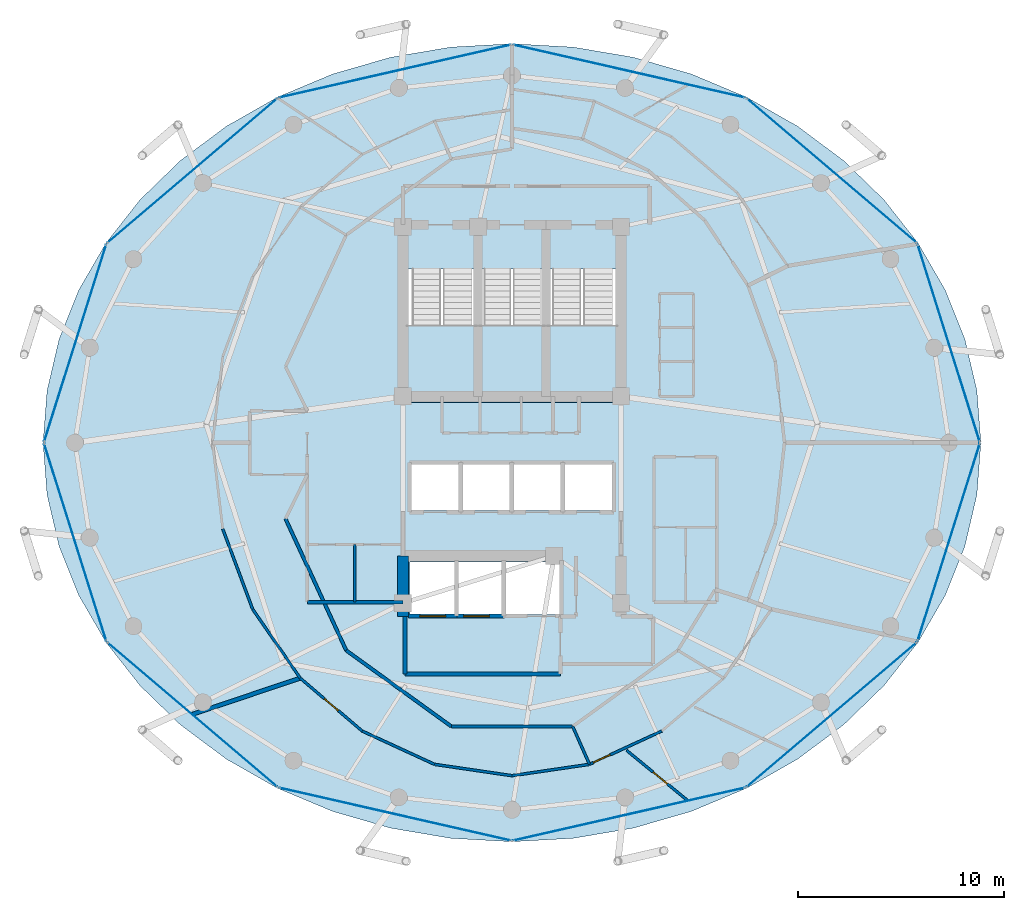
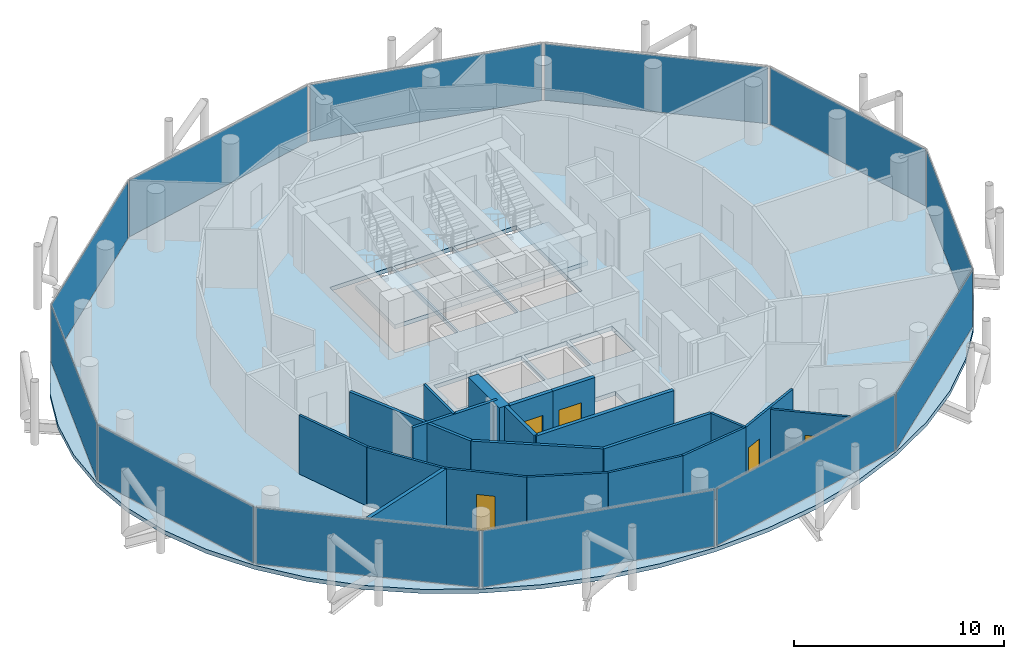
# One storey, part 22 of 27: 20 walls, 12 plates, 5 doors, 4 slabs, 5 openings, 15 elements without a shape of their own.
"""IFC4 building model written with IfcOpenShell, lengths in metres."""

from ifc_helpers import new_model, si_unit, direction, frame, frame_2d, origin, origin_2d, place, context, subcontext, project, spatial, polyline, rectangle, outline, extrude, material, layer, layer_set, type_object, element, fill, aggregate, save


model = new_model("IFC4")

# Units and contexts
model_context = context("Model", 3, precision=1e-05, world=origin(), true_north=direction((0.0, 1.0)))
body_context = subcontext(model_context, "Body", "Model", "MODEL_VIEW")
ifc_project = project(units=[si_unit("LENGTHUNIT", "METRE"), si_unit("AREAUNIT", "SQUARE_METRE"), si_unit("VOLUMEUNIT", "CUBIC_METRE"), si_unit("PLANEANGLEUNIT", "RADIAN"), si_unit("MASSUNIT", "GRAM", prefix="KILO")], contexts=[model_context])

# Site, building, storey
site_placement = place(None, origin())
site = spatial("IfcSite", under=ifc_project, at=site_placement, CompositionType="ELEMENT")
building_placement = place(site_placement, origin())
building = spatial("IfcBuilding", under=site, at=building_placement, Name="Nuhasar Tower", CompositionType="ELEMENT")
storey_placement = place(building_placement, frame((0.0, 0.0, 230.050048828125)))
storey = spatial("IfcBuildingStorey", under=building, at=storey_placement, Name="L56", CompositionType="ELEMENT", Elevation=230.050048828125)

# Curtain wall, plate
ifc_material_1 = material(Name="Aluminium 6063-T6", Category="aluminium")
ifc_layer_1 = layer(ifc_material_1, 0.18994140625)
ifc_layer_set_1 = layer_set([ifc_layer_1], Name="Aluminium 6063-T6")
curtain_wall_type = type_object("IfcCurtainWallType", Name="CW-Z3-RES", PredefinedType="NOTDEFINED", material=ifc_layer_set_1)
curtain_wall_1_placement = place(storey_placement, origin())
curtain_wall_1 = element("IfcCurtainWall", 1, at=curtain_wall_1_placement, inside=storey, type_object=curtain_wall_type, Name="L56 Unitised Curtain Wall 01", PredefinedType="NOTDEFINED")
ifc_material_2 = material(Name="Glass Double Low-E", Category="glass")
ifc_layer_2 = layer(ifc_material_2, 0.028076171875)
ifc_layer_set_2 = layer_set([ifc_layer_2], Name="Glass Double Low-E")
plate_type = type_object("IfcPlateType", Name="CW-PANEL-GLZ", PredefinedType="CURTAIN_PANEL", material=ifc_layer_set_2)
plate_1_placement = place(storey_placement, frame((60.235595703125, 31.639892578125, 0.06494140625), z_axis=(0.0, 0.0, 1.0), x_axis=(-0.30042864553, 0.95380429279, 0.0)))
plate_1 = element("IfcPlate", 2, at=plate_1_placement, type_object=plate_type, Name="CW-Z3 panel 1.1", PredefinedType="CURTAIN_PANEL", context=body_context, shape_type="SweptSolid", body=[
    extrude(rectangle(XDim=10.018798828125, YDim=0.028076171875, at=origin_2d()), origin(), (0.0, 0.0, 1.0), 3.280029296875),
])
aggregate(curtain_wall_1, [plate_1])

curtain_wall_2_placement = place(storey_placement, origin())
curtain_wall_2 = element("IfcCurtainWall", 3, at=curtain_wall_2_placement, inside=storey, type_object=curtain_wall_type, Name="L56 Unitised Curtain Wall 02", PredefinedType="NOTDEFINED")
plate_2_placement = place(storey_placement, frame((54.54541015625, 40.02294921875, 0.06494140625), z_axis=(0.0, 0.0, 1.0), x_axis=(-0.761729472562, 0.64789521578, 0.0)))
plate_2 = element("IfcPlate", 4, at=plate_2_placement, type_object=plate_type, Name="CW-Z3 panel 1.1", PredefinedType="CURTAIN_PANEL", context=body_context, shape_type="SweptSolid", body=[
    extrude(rectangle(XDim=10.806884765625, YDim=0.028076171875, at=origin_2d()), origin(), (0.0, 0.0, 1.0), 3.280029296875),
])
aggregate(curtain_wall_2, [plate_2])

curtain_wall_3_placement = place(storey_placement, origin())
curtain_wall_3 = element("IfcCurtainWall", 5, at=curtain_wall_3_placement, inside=storey, type_object=curtain_wall_type, Name="L56 Unitised Curtain Wall 03", PredefinedType="NOTDEFINED")
plate_3_placement = place(storey_placement, frame((44.68994140625, 44.863037109375, 0.06494140625), z_axis=(0.0, 0.0, 1.0), x_axis=(-0.974991266926, 0.222243176313, 0.0)))
plate_3 = element("IfcPlate", 6, at=plate_3_placement, type_object=plate_type, Name="CW-Z3 panel 1.1", PredefinedType="CURTAIN_PANEL", context=body_context, shape_type="SweptSolid", body=[
    extrude(rectangle(XDim=11.5419921875, YDim=0.028076171875, at=origin_2d()), origin(), (0.0, 0.0, 1.0), 3.280029296875),
])
aggregate(curtain_wall_3, [plate_3])

curtain_wall_4_placement = place(storey_placement, origin())
curtain_wall_4 = element("IfcCurtainWall", 7, at=curtain_wall_4_placement, inside=storey, type_object=curtain_wall_type, Name="L56 Unitised Curtain Wall 04", PredefinedType="NOTDEFINED")
plate_4_placement = place(storey_placement, frame((33.31005859375, 44.863037109375, 0.06494140625), z_axis=(0.0, 0.0, 1.0), x_axis=(-0.974991266926, -0.222243176313, 0.0)))
plate_4 = element("IfcPlate", 8, at=plate_4_placement, type_object=plate_type, Name="CW-Z3 panel 1.1", PredefinedType="CURTAIN_PANEL", context=body_context, shape_type="SweptSolid", body=[
    extrude(rectangle(XDim=11.5419921875, YDim=0.028076171875, at=origin_2d()), origin(), (0.0, 0.0, 1.0), 3.280029296875),
])
aggregate(curtain_wall_4, [plate_4])

curtain_wall_5_placement = place(storey_placement, origin())
curtain_wall_5 = element("IfcCurtainWall", 9, at=curtain_wall_5_placement, inside=storey, type_object=curtain_wall_type, Name="L56 Unitised Curtain Wall 05", PredefinedType="NOTDEFINED")
plate_5_placement = place(storey_placement, frame((23.45458984375, 40.02294921875, 0.06494140625), z_axis=(0.0, 0.0, 1.0), x_axis=(-0.761729472562, -0.64789521578, 0.0)))
plate_5 = element("IfcPlate", 10, at=plate_5_placement, type_object=plate_type, Name="CW-Z3 panel 1.1", PredefinedType="CURTAIN_PANEL", context=body_context, shape_type="SweptSolid", body=[
    extrude(rectangle(XDim=10.806884765625, YDim=0.028076171875, at=origin_2d()), origin(), (0.0, 0.0, 1.0), 3.280029296875),
])
aggregate(curtain_wall_5, [plate_5])

curtain_wall_6_placement = place(storey_placement, origin())
curtain_wall_6 = element("IfcCurtainWall", 11, at=curtain_wall_6_placement, inside=storey, type_object=curtain_wall_type, Name="L56 Unitised Curtain Wall 06", PredefinedType="NOTDEFINED")
plate_6_placement = place(storey_placement, frame((17.764404296875, 31.639892578125, 0.06494140625), z_axis=(0.0, 0.0, 1.0), x_axis=(-0.30042864553, -0.95380429279, 0.0)))
plate_6 = element("IfcPlate", 12, at=plate_6_placement, type_object=plate_type, Name="CW-Z3 panel 1.1", PredefinedType="CURTAIN_PANEL", context=body_context, shape_type="SweptSolid", body=[
    extrude(rectangle(XDim=10.018798828125, YDim=0.028076171875, at=origin_2d()), origin(), (0.0, 0.0, 1.0), 3.280029296875),
])
aggregate(curtain_wall_6, [plate_6])

curtain_wall_7_placement = place(storey_placement, origin())
curtain_wall_7 = element("IfcCurtainWall", 13, at=curtain_wall_7_placement, inside=storey, type_object=curtain_wall_type, Name="L56 Unitised Curtain Wall 07", PredefinedType="NOTDEFINED")
plate_7_placement = place(storey_placement, frame((17.764404296875, 21.9599609375, 0.06494140625), z_axis=(0.0, 0.0, 1.0), x_axis=(0.30042864553, -0.95380429279, 0.0)))
plate_7 = element("IfcPlate", 14, at=plate_7_placement, type_object=plate_type, Name="CW-Z3 panel 1.1", PredefinedType="CURTAIN_PANEL", context=body_context, shape_type="SweptSolid", body=[
    extrude(rectangle(XDim=10.018798828125, YDim=0.028076171875, at=origin_2d()), origin(), (0.0, 0.0, 1.0), 3.280029296875),
])
aggregate(curtain_wall_7, [plate_7])

curtain_wall_8_placement = place(storey_placement, origin())
curtain_wall_8 = element("IfcCurtainWall", 15, at=curtain_wall_8_placement, inside=storey, type_object=curtain_wall_type, Name="L56 Unitised Curtain Wall 08", PredefinedType="NOTDEFINED")
plate_8_placement = place(storey_placement, frame((23.45458984375, 13.576904296875, 0.06494140625), z_axis=(0.0, 0.0, 1.0), x_axis=(0.761729472562, -0.64789521578, 0.0)))
plate_8 = element("IfcPlate", 16, at=plate_8_placement, type_object=plate_type, Name="CW-Z3 panel 1.1", PredefinedType="CURTAIN_PANEL", context=body_context, shape_type="SweptSolid", body=[
    extrude(rectangle(XDim=10.806884765625, YDim=0.028076171875, at=origin_2d()), origin(), (0.0, 0.0, 1.0), 3.280029296875),
])
aggregate(curtain_wall_8, [plate_8])

curtain_wall_9_placement = place(storey_placement, origin())
curtain_wall_9 = element("IfcCurtainWall", 17, at=curtain_wall_9_placement, inside=storey, type_object=curtain_wall_type, Name="L56 Unitised Curtain Wall 09", PredefinedType="NOTDEFINED")
plate_9_placement = place(storey_placement, frame((33.31005859375, 8.737060546875, 0.06494140625), z_axis=(0.0, 0.0, 1.0), x_axis=(0.974991266926, -0.222243176313, 0.0)))
plate_9 = element("IfcPlate", 18, at=plate_9_placement, type_object=plate_type, Name="CW-Z3 panel 1.1", PredefinedType="CURTAIN_PANEL", context=body_context, shape_type="SweptSolid", body=[
    extrude(rectangle(XDim=11.5419921875, YDim=0.028076171875, at=origin_2d()), origin(), (0.0, 0.0, 1.0), 3.280029296875),
])
aggregate(curtain_wall_9, [plate_9])

curtain_wall_10_placement = place(storey_placement, origin())
curtain_wall_10 = element("IfcCurtainWall", 19, at=curtain_wall_10_placement, inside=storey, type_object=curtain_wall_type, Name="L56 Unitised Curtain Wall 10", PredefinedType="NOTDEFINED")
plate_10_placement = place(storey_placement, frame((44.68994140625, 8.737060546875, 0.06494140625), z_axis=(0.0, 0.0, 1.0), x_axis=(0.974991266926, 0.222243176313, 0.0)))
plate_10 = element("IfcPlate", 20, at=plate_10_placement, type_object=plate_type, Name="CW-Z3 panel 1.1", PredefinedType="CURTAIN_PANEL", context=body_context, shape_type="SweptSolid", body=[
    extrude(rectangle(XDim=11.5419921875, YDim=0.028076171875, at=origin_2d()), origin(), (0.0, 0.0, 1.0), 3.280029296875),
])
aggregate(curtain_wall_10, [plate_10])

curtain_wall_11_placement = place(storey_placement, origin())
curtain_wall_11 = element("IfcCurtainWall", 21, at=curtain_wall_11_placement, inside=storey, type_object=curtain_wall_type, Name="L56 Unitised Curtain Wall 11", PredefinedType="NOTDEFINED")
plate_11_placement = place(storey_placement, frame((54.54541015625, 13.576904296875, 0.06494140625), z_axis=(0.0, 0.0, 1.0), x_axis=(0.761729472562, 0.64789521578, 0.0)))
plate_11 = element("IfcPlate", 22, at=plate_11_placement, type_object=plate_type, Name="CW-Z3 panel 1.1", PredefinedType="CURTAIN_PANEL", context=body_context, shape_type="SweptSolid", body=[
    extrude(rectangle(XDim=10.806884765625, YDim=0.028076171875, at=origin_2d()), origin(), (0.0, 0.0, 1.0), 3.280029296875),
])
aggregate(curtain_wall_11, [plate_11])

curtain_wall_12_placement = place(storey_placement, origin())
curtain_wall_12 = element("IfcCurtainWall", 23, at=curtain_wall_12_placement, inside=storey, type_object=curtain_wall_type, Name="L56 Unitised Curtain Wall 12", PredefinedType="NOTDEFINED")
plate_12_placement = place(storey_placement, frame((60.235595703125, 21.9599609375, 0.06494140625), z_axis=(0.0, 0.0, 1.0), x_axis=(0.30042864553, 0.95380429279, 0.0)))
plate_12 = element("IfcPlate", 24, at=plate_12_placement, type_object=plate_type, Name="CW-Z3 panel 1.1", PredefinedType="CURTAIN_PANEL", context=body_context, shape_type="SweptSolid", body=[
    extrude(rectangle(XDim=10.018798828125, YDim=0.028076171875, at=origin_2d()), origin(), (0.0, 0.0, 1.0), 3.280029296875),
])
aggregate(curtain_wall_12, [plate_12])

# Stair, slab
ifc_material_3 = material(Name="Concrete C45/55", Category="concrete")
stair_type_1 = type_object("IfcStairType", Name="STR-ST-01-2F-22R-1659", PredefinedType="HALF_TURN_STAIR", material=ifc_material_3)
stair_1_placement = place(storey_placement, origin())
stair_1 = element("IfcStair", 25, at=stair_1_placement, inside=storey, type_object=stair_type_1, Name="L56 Exit Stair ST-01", PredefinedType="HALF_TURN_STAIR")
ifc_layer_3 = layer(ifc_material_3, 0.239990234375)
ifc_layer_set_3 = layer_set([ifc_layer_3], Name="Concrete C45/55")
slab_type_1 = type_object("IfcSlabType", Name="SLB-STAIR-LND-240", PredefinedType="LANDING", material=ifc_layer_set_3)
slab_1_placement = place(storey_placement, frame((0.0, 0.0, 1.5849609375)))
slab_1 = element("IfcSlab", 26, at=slab_1_placement, type_object=slab_type_1, Name="ST-01 landing 1", PredefinedType="LANDING", context=body_context, shape_type="SweptSolid", body=[
    extrude(outline(polyline([(33.699951171875, 28.75), (37.35009765625, 28.75), (37.35009765625, 32.52001953125), (33.699951171875, 32.52001953125), (33.699951171875, 28.75)])), origin(), (0.0, 0.0, 1.0), 0.239990234375),
])
aggregate(stair_1, [slab_1])

stair_type_2 = type_object("IfcStairType", Name="STR-ST-03-2F-22R-1659", PredefinedType="HALF_TURN_STAIR", material=ifc_material_3)
stair_2_placement = place(storey_placement, origin())
stair_2 = element("IfcStair", 27, at=stair_2_placement, inside=storey, type_object=stair_type_2, Name="L56 Exit Stair ST-03", PredefinedType="HALF_TURN_STAIR")
slab_2_placement = place(storey_placement, frame((0.0, 0.0, 1.5849609375)))
slab_2 = element("IfcSlab", 28, at=slab_2_placement, type_object=slab_type_1, Name="ST-03 landing 1", PredefinedType="LANDING", context=body_context, shape_type="SweptSolid", body=[
    extrude(outline(polyline([(37.35009765625, 28.75), (40.64990234375, 28.75), (40.64990234375, 32.52001953125), (37.35009765625, 32.52001953125), (37.35009765625, 28.75)])), origin(), (0.0, 0.0, 1.0), 0.239990234375),
])
aggregate(stair_2, [slab_2])

stair_type_3 = type_object("IfcStairType", Name="STR-ST-02-2F-22R-1659", PredefinedType="HALF_TURN_STAIR", material=ifc_material_3)
stair_3_placement = place(storey_placement, origin())
stair_3 = element("IfcStair", 29, at=stair_3_placement, inside=storey, type_object=stair_type_3, Name="L56 Exit Stair ST-02", PredefinedType="HALF_TURN_STAIR")
slab_3_placement = place(storey_placement, frame((0.0, 0.0, 1.5849609375)))
slab_3 = element("IfcSlab", 30, at=slab_3_placement, type_object=slab_type_1, Name="ST-02 landing 1", PredefinedType="LANDING", context=body_context, shape_type="SweptSolid", body=[
    extrude(outline(polyline([(40.64990234375, 28.75), (44.300048828125, 28.75), (44.300048828125, 32.52001953125), (40.64990234375, 32.52001953125), (40.64990234375, 28.75)])), origin(), (0.0, 0.0, 1.0), 0.239990234375),
])
aggregate(stair_3, [slab_3])

# Slab
ifc_layer_4 = layer(ifc_material_3, 0.239990234375)
ifc_layer_set_4 = layer_set([ifc_layer_4], Name="Concrete C45/55")
slab_type_2 = type_object("IfcSlabType", Name="SLB-Z3-240", PredefinedType="FLOOR", material=ifc_layer_set_4)
slab_4_placement = place(storey_placement, frame((0.0, 0.0, -0.239990234375)))
element("IfcSlab", 31, at=slab_4_placement, inside=storey, type_object=slab_type_2, Name="L56 Structural Slab", PredefinedType="FLOOR", context=body_context, shape_type="SweptSolid", body=[
    extrude(outline(polyline([(61.800048828125, 26.800048828125), (61.60498046875, 29.33203125), (61.02294921875, 31.821044921875), (60.06396484375, 34.22412109375), (58.7451171875, 36.5), (57.087890625, 38.610107421875), (55.1220703125, 40.51806640625), (52.8798828125, 42.19091796875), (50.39990234375, 43.60107421875), (47.72509765625, 44.722900390625), (44.90087890625, 45.5390625), (41.97607421875, 46.033935546875), (39.0, 46.199951171875), (36.02392578125, 46.033935546875), (33.09912109375, 45.5390625), (30.27490234375, 44.722900390625), (27.60009765625, 43.60107421875), (25.1201171875, 42.19091796875), (22.8779296875, 40.51806640625), (20.912109375, 38.610107421875), (19.2548828125, 36.5), (17.93603515625, 34.22412109375), (16.97705078125, 31.821044921875), (16.39501953125, 29.33203125), (16.199951171875, 26.800048828125), (16.39501953125, 24.26806640625), (16.97705078125, 21.779052734375), (17.93603515625, 19.3759765625), (19.2548828125, 17.10009765625), (20.912109375, 14.989990234375), (22.8779296875, 13.08203125), (25.1201171875, 11.408935546875), (27.60009765625, 9.9990234375), (30.27490234375, 8.876953125), (33.09912109375, 8.06103515625), (36.02392578125, 7.56591796875), (39.0, 7.39990234375), (41.97607421875, 7.56591796875), (44.90087890625, 8.06103515625), (47.72509765625, 8.876953125), (50.39990234375, 9.9990234375), (52.8798828125, 11.408935546875), (55.1220703125, 13.08203125), (57.087890625, 14.989990234375), (58.7451171875, 17.10009765625), (60.06396484375, 19.3759765625), (61.02294921875, 21.779052734375), (61.60498046875, 24.26806640625), (61.800048828125, 26.800048828125)]), holes=[polyline([(33.8798828125, 35.25), (37.300048828125, 35.25), (37.300048828125, 29.0), (33.8798828125, 29.0), (33.8798828125, 35.25)]), polyline([(37.39990234375, 35.25), (40.60009765625, 35.25), (40.60009765625, 29.0), (37.39990234375, 29.0), (37.39990234375, 35.25)]), polyline([(40.699951171875, 35.25), (44.1201171875, 35.25), (44.1201171875, 29.0), (40.699951171875, 29.0), (40.699951171875, 35.25)]), polyline([(34.10009765625, 25.75), (36.43994140625, 25.75), (36.43994140625, 23.5), (34.10009765625, 23.5), (34.10009765625, 25.75)]), polyline([(36.580078125, 25.75), (38.919921875, 25.75), (38.919921875, 23.5), (36.580078125, 23.5), (36.580078125, 25.75)]), polyline([(39.06005859375, 25.75), (41.39990234375, 25.75), (41.39990234375, 23.5), (39.06005859375, 23.5), (39.06005859375, 25.75)]), polyline([(41.5400390625, 25.75), (43.8798828125, 25.75), (43.8798828125, 23.5), (41.5400390625, 23.5), (41.5400390625, 25.75)]), polyline([(34.050048828125, 21.0), (36.25, 21.0), (36.25, 18.449951171875), (34.050048828125, 18.449951171875), (34.050048828125, 21.0)]), polyline([(36.35009765625, 21.0), (38.550048828125, 21.0), (38.550048828125, 18.449951171875), (36.35009765625, 18.449951171875), (36.35009765625, 21.0)]), polyline([(38.64990234375, 21.0), (41.320068359375, 21.0), (41.320068359375, 18.449951171875), (38.64990234375, 18.449951171875), (38.64990234375, 21.0)])]), origin(), (0.0, 0.0, 1.0), 0.239990234375),
])

# Walls
ifc_material_4 = material(Name="Concrete C55/67", Category="concrete")
ifc_layer_5 = layer(ifc_material_4, 0.550048828125)
ifc_layer_set_5 = layer_set([ifc_layer_5], Name="Concrete C55/67")
wall_type_1 = type_object("IfcWallType", Name="WL-CORE-550", PredefinedType="SHEAR", material=ifc_layer_set_5)
wall_1_placement = place(storey_placement, frame((33.699951171875, 18.35009765625, 0.0), z_axis=(0.0, 0.0, 1.0), x_axis=(0.0, 1.0, 0.0)))
element("IfcWall", 32, at=wall_1_placement, inside=storey, type_object=wall_type_1, Name="L56 Core Shear Wall CW-SW CW-550", PredefinedType="SHEAR", context=body_context, shape_type="SweptSolid", body=[
    extrude(rectangle(XDim=2.949951171875, YDim=0.550048828125, at=frame_2d((1.47509765625, 0.0))), origin(), (0.0, 0.0, 1.0), 3.409912109375),
])
ifc_material_5 = material(Name="Gypsum Board", Category="gypsum")
ifc_layer_6 = layer(ifc_material_5, 0.159912109375)
ifc_layer_set_6 = layer_set([ifc_layer_6], Name="Gypsum Board")
wall_type_2 = type_object("IfcWallType", Name="WL-CORR-160", PredefinedType="PARTITIONING", material=ifc_layer_set_6)
wall_2_placement = place(storey_placement, frame((29.050048828125, 19.050048828125, 0.0), z_axis=(0.0, 0.0, 1.0), x_axis=(1.0, 0.0, 0.0)))
element("IfcWall", 33, at=wall_2_placement, inside=storey, type_object=wall_type_2, Name="L56 Interior Partition RECL-B1-S", PredefinedType="PARTITIONING", context=body_context, shape_type="SweptSolid", body=[
    extrude(rectangle(XDim=4.64990234375, YDim=0.159912109375, at=frame_2d((2.324951171875, 0.0))), origin(), (0.0, 0.0, 1.0), 3.409912109375),
])
wall_3_placement = place(storey_placement, frame((27.988037109375, 23.10400390625, 0.0), z_axis=(0.0, 0.0, 1.0), x_axis=(0.418656179426, -0.908144814128, 0.0)))
element("IfcWall", 34, at=wall_3_placement, inside=storey, type_object=wall_type_2, Name="L56 Interior Partition UWEST-CORE-S1-26", PredefinedType="PARTITIONING", context=body_context, shape_type="SweptSolid", body=[
    extrude(rectangle(XDim=7.048583984375, YDim=0.159912109375, at=frame_2d((3.5244140625, 0.0))), origin(), (0.0, 0.0, 1.0), 3.409912109375),
])
wall_4_placement = place(storey_placement, frame((30.93896484375, 16.702880859375, 0.0), z_axis=(0.0, 0.0, 1.0), x_axis=(0.810290119061, -0.586028943784, 0.0)))
element("IfcWall", 35, at=wall_4_placement, inside=storey, type_object=wall_type_2, Name="L56 Interior Partition UWEST-CORE-S1-30", PredefinedType="PARTITIONING", context=body_context, shape_type="SweptSolid", body=[
    extrude(rectangle(XDim=6.306396484375, YDim=0.159912109375, at=frame_2d((3.1533203125, 0.0))), origin(), (0.0, 0.0, 1.0), 3.409912109375),
])
wall_5_placement = place(storey_placement, frame((36.049072265625, 13.007080078125, 0.0), z_axis=(0.0, 0.0, 1.0), x_axis=(1.0, 0.0, 0.0)))
element("IfcWall", 36, at=wall_5_placement, inside=storey, type_object=wall_type_2, Name="L56 Interior Partition UWEST-CORE-S1-34", PredefinedType="PARTITIONING", context=body_context, shape_type="SweptSolid", body=[
    extrude(rectangle(XDim=5.90185546875, YDim=0.159912109375, at=frame_2d((2.950927734375, 0.0))), origin(), (0.0, 0.0, 1.0), 3.409912109375),
])
ifc_layer_7 = layer(ifc_material_3, 0.199951171875)
ifc_layer_set_7 = layer_set([ifc_layer_7], Name="Concrete C45/55")
wall_type_3 = type_object("IfcWallType", Name="WL-LOBBY-200", PredefinedType="SOLIDWALL", material=ifc_layer_set_7)
wall_6_placement = place(storey_placement, frame((33.800048828125, 15.550048828125, 0.0), z_axis=(0.0, 0.0, 1.0), x_axis=(1.0, 0.0, 0.0)))
element("IfcWall", 37, at=wall_6_placement, inside=storey, type_object=wall_type_3, Name="L56 Interior Partition FFL-S", PredefinedType="SOLIDWALL", context=body_context, shape_type="SweptSolid", body=[
    extrude(rectangle(XDim=7.550048828125, YDim=0.199951171875, at=frame_2d((3.77490234375, 0.0))), origin(), (0.0, 0.0, 1.0), 3.409912109375),
])
wall_7_placement = place(storey_placement, frame((33.800048828125, 15.550048828125, 0.0), z_axis=(0.0, 0.0, 1.0), x_axis=(0.0, 1.0, 0.0)))
element("IfcWall", 38, at=wall_7_placement, inside=storey, type_object=wall_type_3, Name="L56 Interior Partition FFL-W", PredefinedType="SOLIDWALL", context=body_context, shape_type="SweptSolid", body=[
    extrude(rectangle(XDim=2.800048828125, YDim=0.199951171875, at=frame_2d((1.39990234375, 0.0))), origin(), (0.0, 0.0, 1.0), 3.409912109375),
])
ifc_layer_8 = layer(ifc_material_5, 0.125)
ifc_layer_set_8 = layer_set([ifc_layer_8], Name="Gypsum Board")
wall_type_4 = type_object("IfcWallType", Name="WL-PART-125", PredefinedType="PARTITIONING", material=ifc_layer_set_8)
wall_8_placement = place(storey_placement, frame((31.35009765625, 19.050048828125, 0.0), z_axis=(0.0, 0.0, 1.0), x_axis=(0.0, 1.0, 0.0)))
element("IfcWall", 39, at=wall_8_placement, inside=storey, type_object=wall_type_4, Name="L56 Interior Partition HKPK1-V", PredefinedType="PARTITIONING", context=body_context, shape_type="SweptSolid", body=[
    extrude(rectangle(XDim=2.800048828125, YDim=0.125, at=frame_2d((1.39990234375, 0.0))), origin(), (0.0, 0.0, 1.0), 3.409912109375),
])
wall_9_placement = place(storey_placement, frame((24.93603515625, 22.610107421875, 0.0), z_axis=(0.0, 0.0, 1.0), x_axis=(0.349164501946, -0.9370614444, 0.0)))
element("IfcWall", 40, at=wall_9_placement, inside=storey, type_object=wall_type_4, Name="L56 Interior Partition USM-1-D-26", PredefinedType="PARTITIONING", context=body_context, shape_type="SweptSolid", body=[
    extrude(rectangle(XDim=4.167236328125, YDim=0.125, at=frame_2d((2.08349609375, 0.0))), origin(), (0.0, 0.0, 1.0), 3.409912109375),
])
wall_10_placement = place(storey_placement, frame((26.39111328125, 18.705078125, 0.0), z_axis=(0.0, 0.0, 1.0), x_axis=(0.567987799291, -0.823036973566, 0.0)))
element("IfcWall", 41, at=wall_10_placement, inside=storey, type_object=wall_type_4, Name="L56 Interior Partition USM-1-D-28", PredefinedType="PARTITIONING", context=body_context, shape_type="SweptSolid", body=[
    extrude(rectangle(XDim=4.073974609375, YDim=0.125, at=frame_2d((2.037109375, 0.0))), origin(), (0.0, 0.0, 1.0), 3.409912109375),
])

# Wall, opening, door
wall_11_placement = place(storey_placement, frame((46.280029296875, 12.779052734375, 0.0), z_axis=(0.0, 0.0, 1.0), x_axis=(-0.908348953741, -0.418213077555, 0.0)))
wall_11 = element("IfcWall", 42, at=wall_11_placement, inside=storey, type_object=wall_type_4, Name="L56 Interior Partition USM-2-K-38", PredefinedType="PARTITIONING", context=body_context, shape_type="SweptSolid", body=[
    extrude(rectangle(XDim=3.8662109375, YDim=0.125, at=frame_2d((1.93310546875, 0.0))), origin(), (0.0, 0.0, 1.0), 3.409912109375),
])
opening_1_placement = place(wall_11_placement, frame((2.76611328125, 0.0, 0.0)))
opening_1 = element("IfcOpeningElement", 43, at=opening_1_placement, cuts=wall_11, Name="Opening DR-01", PredefinedType="OPENING", context=body_context, shape_type="SweptSolid", body=[
    extrude(rectangle(XDim=0.89990234375, YDim=2.10009765625, at=frame_2d((0.449951171875, 1.050048828125))), frame((0.0, 0.072509765625, 0.0), z_axis=(0.0, -1.0, 0.0), x_axis=(1.0, 0.0, 0.0)), (0.0, 0.0, 1.0), 0.14501953125),
])
ifc_material_6 = material(Name="Timber Oak", Category="wood")
door_type_1 = type_object("IfcDoorType", Name="DR-ROOM-900", OperationType="NOTDEFINED", PredefinedType="DOOR", material=ifc_material_6)
door_1_placement = place(opening_1_placement, origin())
door_1 = element("IfcDoor", 44, at=door_1_placement, inside=storey, type_object=door_type_1, Name="L56 South-West Sky Home Kitchen Door", OperationType="SINGLE_SWING_RIGHT", OverallHeight=2.10009765625, OverallWidth=0.89990234375, PredefinedType="DOOR", context=body_context, shape_type="SweptSolid", body=[
    extrude(rectangle(XDim=0.89990234375, YDim=2.10009765625, at=frame_2d((0.449951171875, 1.050048828125))), frame((0.0, 0.02490234375, 0.0), z_axis=(0.0, -1.0, 0.0), x_axis=(1.0, 0.0, 0.0)), (0.0, 0.0, 1.0), 0.050048828125),
])
fill(opening_1, door_1)

# Wall
wall_12_placement = place(storey_placement, frame((41.950927734375, 13.007080078125, 0.0), z_axis=(0.0, 0.0, 1.0), x_axis=(0.404959394094, -0.914334670203, 0.0)))
element("IfcWall", 45, at=wall_12_placement, inside=storey, type_object=wall_type_4, Name="L56 Interior Partition USI-2-DK", PredefinedType="PARTITIONING", context=body_context, shape_type="SweptSolid", body=[
    extrude(rectangle(XDim=2.017822265625, YDim=0.125, at=frame_2d((1.0087890625, 0.0))), origin(), (0.0, 0.0, 1.0), 3.409912109375),
])

# Wall, opening, door
wall_13_placement = place(storey_placement, frame((31.719970703125, 12.779052734375, 0.0), z_axis=(0.0, 0.0, 1.0), x_axis=(-0.760650552049, 0.64916156515, 0.0)))
wall_13 = element("IfcWall", 46, at=wall_13_placement, inside=storey, type_object=wall_type_4, Name="L56 Interior Partition USM-2-D-30", PredefinedType="PARTITIONING", context=body_context, shape_type="SweptSolid", body=[
    extrude(rectangle(XDim=3.963623046875, YDim=0.125, at=frame_2d((1.98193359375, 0.0))), origin(), (0.0, 0.0, 1.0), 3.409912109375),
])
opening_2_placement = place(wall_13_placement, frame((1.531982421875, 0.0, 0.0)))
opening_2 = element("IfcOpeningElement", 47, at=opening_2_placement, cuts=wall_13, Name="Opening DR-01", PredefinedType="OPENING", context=body_context, shape_type="SweptSolid", body=[
    extrude(rectangle(XDim=0.89990234375, YDim=2.10009765625, at=frame_2d((0.449951171875, 1.050048828125))), frame((0.0, 0.072509765625, 0.0), z_axis=(0.0, -1.0, 0.0), x_axis=(1.0, 0.0, 0.0)), (0.0, 0.0, 1.0), 0.14501953125),
])
door_2_placement = place(opening_2_placement, origin())
door_2 = element("IfcDoor", 48, at=door_2_placement, inside=storey, type_object=door_type_1, Name="L56 South-West Sky Home Living Door", OperationType="SINGLE_SWING_LEFT", OverallHeight=2.10009765625, OverallWidth=0.89990234375, PredefinedType="DOOR", context=body_context, shape_type="SweptSolid", body=[
    extrude(rectangle(XDim=0.89990234375, YDim=2.10009765625, at=frame_2d((0.449951171875, 1.050048828125))), frame((0.0, 0.02490234375, 0.0), z_axis=(0.0, -1.0, 0.0), x_axis=(1.0, 0.0, 0.0)), (0.0, 0.0, 1.0), 0.050048828125),
])
fill(opening_2, door_2)

# Walls
wall_14_placement = place(storey_placement, frame((31.719970703125, 12.779052734375, 0.0), z_axis=(0.0, 0.0, 1.0), x_axis=(0.908348953741, -0.418213077555, 0.0)))
element("IfcWall", 49, at=wall_14_placement, inside=storey, type_object=wall_type_4, Name="L56 Interior Partition USM-2-D-32", PredefinedType="PARTITIONING", context=body_context, shape_type="SweptSolid", body=[
    extrude(rectangle(XDim=3.8662109375, YDim=0.125, at=frame_2d((1.93310546875, 0.0))), origin(), (0.0, 0.0, 1.0), 3.409912109375),
])
for number, where, z_axis, x_axis, name in (
    (50, (35.23193359375, 11.162109375, 0.0), (0.0, 0.0, 1.0), (0.98943932281, -0.144947668062, 0.0), "L56 Interior Partition USM-2-D-34"),
    (51, (39.0, 10.610107421875, 0.0), (0.0, 0.0, 1.0), (0.98943932281, 0.144947668062, 0.0), "L56 Interior Partition USM-2-D-36"),
):
    element("IfcWall", number, at=place(storey_placement, frame(where, z_axis=z_axis, x_axis=x_axis)), inside=storey, type_object=wall_type_4, Name=name, PredefinedType="PARTITIONING", context=body_context, shape_type="SweptSolid", body=[
        extrude(rectangle(XDim=3.808349609375, YDim=0.125, at=frame_2d((1.904296875, 0.0))), origin(), (0.0, 0.0, 1.0), 3.409912109375),
    ])

# Wall, opening, door
wall_15_placement = place(storey_placement, frame((44.572021484375, 11.842041015625, 0.0), z_axis=(0.0, 0.0, 1.0), x_axis=(0.772485420773, -0.635032498927, 0.0)))
wall_15 = element("IfcWall", 52, at=wall_15_placement, inside=storey, type_object=wall_type_4, Name="L56 Interior Partition USO-2-B1", PredefinedType="PARTITIONING", context=body_context, shape_type="SweptSolid", body=[
    extrude(rectangle(XDim=3.81884765625, YDim=0.125, at=frame_2d((1.909423828125, 0.0))), origin(), (0.0, 0.0, 1.0), 3.409912109375),
])
opening_3_placement = place(wall_15_placement, frame((1.660888671875, 0.0, 0.0)))
opening_3 = element("IfcOpeningElement", 53, at=opening_3_placement, cuts=wall_15, Name="Opening DR-01", PredefinedType="OPENING", context=body_context, shape_type="SweptSolid", body=[
    extrude(rectangle(XDim=0.89990234375, YDim=2.10009765625, at=frame_2d((0.449951171875, 1.050048828125))), frame((0.0, 0.072509765625, 0.0), z_axis=(0.0, -1.0, 0.0), x_axis=(1.0, 0.0, 0.0)), (0.0, 0.0, 1.0), 0.14501953125),
])
door_3_placement = place(opening_3_placement, origin())
door_3 = element("IfcDoor", 54, at=door_3_placement, inside=storey, type_object=door_type_1, Name="L56 South-West Sky Home Study Door", OperationType="SINGLE_SWING_RIGHT", OverallHeight=2.10009765625, OverallWidth=0.89990234375, PredefinedType="DOOR", context=body_context, shape_type="SweptSolid", body=[
    extrude(rectangle(XDim=0.89990234375, YDim=2.10009765625, at=frame_2d((0.449951171875, 1.050048828125))), frame((0.0, 0.02490234375, 0.0), z_axis=(0.0, -1.0, 0.0), x_axis=(1.0, 0.0, 0.0)), (0.0, 0.0, 1.0), 0.050048828125),
])
fill(opening_3, door_3)

ifc_layer_9 = layer(ifc_material_3, 0.199951171875)
ifc_layer_set_9 = layer_set([ifc_layer_9], Name="Concrete C45/55")
wall_type_5 = type_object("IfcWallType", Name="WL-SHAFT-200", PredefinedType="SOLIDWALL", material=ifc_layer_set_9)
wall_16_placement = place(storey_placement, frame((33.969970703125, 18.3701171875, 0.0), z_axis=(0.0, 0.0, 1.0), x_axis=(1.0, 0.0, 0.0)))
wall_16 = element("IfcWall", 55, at=wall_16_placement, inside=storey, type_object=wall_type_5, Name="L56 Interior Partition SHF-FFL-01-S", PredefinedType="SOLIDWALL", context=body_context, shape_type="SweptSolid", body=[
    extrude(rectangle(XDim=2.360107421875, YDim=0.199951171875, at=frame_2d((1.18017578125, 0.0))), origin(), (0.0, 0.0, 1.0), 3.409912109375),
])
opening_4_placement = place(wall_16_placement, frame((0.554931640625, 0.0, 0.0)))
opening_4 = element("IfcOpeningElement", 56, at=opening_4_placement, cuts=wall_16, Name="Opening LD-F01", PredefinedType="OPENING", context=body_context, shape_type="SweptSolid", body=[
    extrude(rectangle(XDim=1.25, YDim=2.199951171875, at=frame_2d((0.625, 1.10009765625))), frame((0.0, 0.10986328125, 0.0), z_axis=(0.0, -1.0, 0.0), x_axis=(1.0, 0.0, 0.0)), (0.0, 0.0, 1.0), 0.219970703125),
])
ifc_material_7 = material(Name="Stainless Steel 316L", Category="steel")
door_type_2 = type_object("IfcDoorType", Name="LD-FFL-1250", OperationType="DOUBLE_DOOR_SLIDING", PredefinedType="DOOR", material=ifc_material_7)
door_4_placement = place(opening_4_placement, origin())
door_4 = element("IfcDoor", 57, at=door_4_placement, inside=storey, type_object=door_type_2, Name="L56 Lift Landing Door FFL-01", OperationType="DOUBLE_DOOR_SLIDING", OverallHeight=2.199951171875, OverallWidth=1.25, PredefinedType="DOOR", context=body_context, shape_type="SweptSolid", body=[
    extrude(rectangle(XDim=1.25, YDim=2.199951171875, at=frame_2d((0.625, 1.10009765625))), frame((0.0, 0.02490234375, 0.0), z_axis=(0.0, -1.0, 0.0), x_axis=(1.0, 0.0, 0.0)), (0.0, 0.0, 1.0), 0.050048828125),
])
fill(opening_4, door_4)

wall_17_placement = place(storey_placement, frame((36.27001953125, 18.3701171875, 0.0), z_axis=(0.0, 0.0, 1.0), x_axis=(1.0, 0.0, 0.0)))
wall_17 = element("IfcWall", 58, at=wall_17_placement, inside=storey, type_object=wall_type_5, Name="L56 Interior Partition SHF-FFL-02-S", PredefinedType="SOLIDWALL", context=body_context, shape_type="SweptSolid", body=[
    extrude(rectangle(XDim=2.35986328125, YDim=0.199951171875, at=frame_2d((1.179931640625, 0.0))), origin(), (0.0, 0.0, 1.0), 3.409912109375),
])
opening_5_placement = place(wall_17_placement, frame((0.3798828125, 0.0, 0.0)))
opening_5 = element("IfcOpeningElement", 59, at=opening_5_placement, cuts=wall_17, Name="Opening LD-F02", PredefinedType="OPENING", context=body_context, shape_type="SweptSolid", body=[
    extrude(rectangle(XDim=1.25, YDim=2.199951171875, at=frame_2d((0.625, 1.10009765625))), frame((0.0, 0.10986328125, 0.0), z_axis=(0.0, -1.0, 0.0), x_axis=(1.0, 0.0, 0.0)), (0.0, 0.0, 1.0), 0.219970703125),
])
door_5_placement = place(opening_5_placement, origin())
door_5 = element("IfcDoor", 60, at=door_5_placement, inside=storey, type_object=door_type_2, Name="L56 Lift Landing Door FFL-02", OperationType="DOUBLE_DOOR_SLIDING", OverallHeight=2.199951171875, OverallWidth=1.25, PredefinedType="DOOR", context=body_context, shape_type="SweptSolid", body=[
    extrude(rectangle(XDim=1.25, YDim=2.199951171875, at=frame_2d((0.625, 1.10009765625))), frame((0.0, 0.02490234375, 0.0), z_axis=(0.0, -1.0, 0.0), x_axis=(1.0, 0.0, 0.0)), (0.0, 0.0, 1.0), 0.050048828125),
])
fill(opening_5, door_5)

# Wall
ifc_material_8 = material(Name="Concrete C40/50 precast", Category="concrete")
ifc_layer_10 = layer(ifc_material_8, 0.199951171875)
ifc_layer_set_10 = layer_set([ifc_layer_10], Name="Concrete C40/50 precast")
wall_type_6 = type_object("IfcWallType", Name="WL-UNIT-200", PredefinedType="PARTITIONING", material=ifc_layer_set_10)
wall_18_placement = place(storey_placement, frame((28.705078125, 15.35205078125, 0.0), z_axis=(0.0, 0.0, 1.0), x_axis=(-0.94819491859, -0.317689150524, 0.0)))
element("IfcWall", 61, at=wall_18_placement, inside=storey, type_object=wall_type_6, Name="L56 Interior Partition UWEST-PARTY-OUT", PredefinedType="PARTITIONING", context=body_context, shape_type="SweptSolid", body=[
    extrude(rectangle(XDim=5.51171875, YDim=0.199951171875, at=frame_2d((2.755859375, 0.0))), origin(), (0.0, 0.0, 1.0), 3.409912109375),
])

save(model, "model.ifc")
